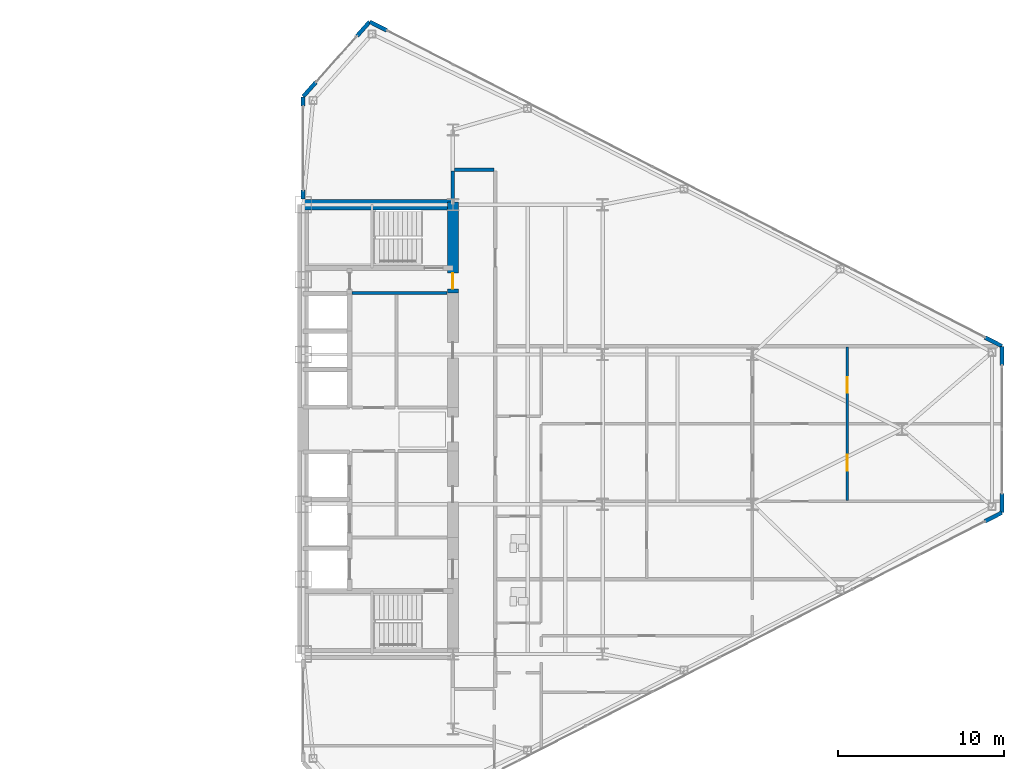
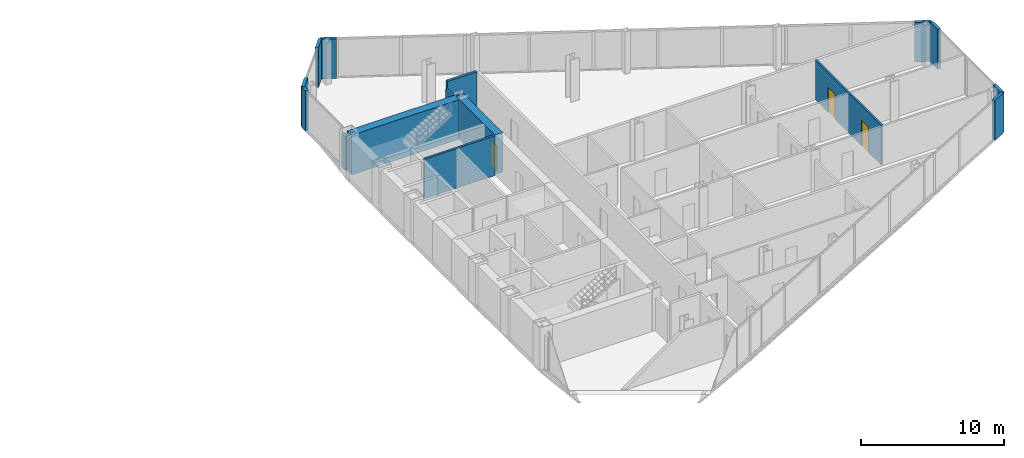
# One storey, part 20 of 23: 15 walls, 3 doors, 3 openings.
"""IFC4 building model written with IfcOpenShell, lengths in metres."""

from ifc_helpers import new_model, si_unit, direction, frame, frame_2d, origin, place, context, subcontext, project, spatial, rectangle, extrude, source, transform, mapped, material, layer, layer_set, type_object, type_shapes, element, fill, save


model = new_model("IFC4")

# Units and contexts
model_context = context("Model", 3, precision=1e-05, world=origin(), true_north=direction((0.0, 1.0)))
body_context = subcontext(model_context, "Body", "Model", "MODEL_VIEW")
ifc_project = project(units=[si_unit("LENGTHUNIT", "METRE"), si_unit("AREAUNIT", "SQUARE_METRE"), si_unit("VOLUMEUNIT", "CUBIC_METRE"), si_unit("PLANEANGLEUNIT", "RADIAN"), si_unit("MASSUNIT", "GRAM", prefix="KILO")], contexts=[model_context])

# Site, building, storey
site_placement = place(None, origin())
site = spatial("IfcSite", under=ifc_project, at=site_placement, CompositionType="ELEMENT")
building_placement = place(site_placement, origin())
building = spatial("IfcBuilding", under=site, at=building_placement, Name="Seokmaru Belvedere", CompositionType="ELEMENT")
storey_placement = place(building_placement, frame((0.0, 0.0, 128.39990234375)))
storey = spatial("IfcBuildingStorey", under=building, at=storey_placement, Name="L34", CompositionType="ELEMENT", Elevation=128.39990234375)

# Wall, openings, doors
ifc_material_1 = material(Name="Fire-Rated Gypsum Shaftwall")
ifc_layer_1 = layer(ifc_material_1, 0.14990234375)
ifc_layer_set_1 = layer_set([ifc_layer_1], Name="Fire-Rated Gypsum Shaftwall")
wall_type_1 = type_object("IfcWallType", Name="Apartment Fire-Acoustic Room Partition 150", PredefinedType="PARTITIONING", material=ifc_layer_set_1)
wall_1_placement = place(storey_placement, frame((60.199951171875, -4.282958984375, 0.0), z_axis=(0.0, 0.0, 1.0), x_axis=(0.0, 1.0, 0.0)))
wall_1 = element("IfcWall", 1, at=wall_1_placement, inside=storey, type_object=wall_type_1, Name="L34 Interior Partition 038", PredefinedType="PARTITIONING", context=body_context, shape_type="SweptSolid", body=[
    extrude(rectangle(XDim=9.23291015625, YDim=0.14990234375, at=frame_2d((4.616455078125, 0.0))), origin(), (0.0, 0.0, 1.0), 3.380126953125),
])
opening_1_placement = place(wall_1_placement, frame((1.80810546875, 0.0, 0.0)))
opening_1 = element("IfcOpeningElement", 2, at=opening_1_placement, cuts=wall_1, Name="Opening D05", PredefinedType="OPENING", context=body_context, shape_type="SweptSolid", body=[
    extrude(rectangle(XDim=0.949951171875, YDim=2.14990234375, at=frame_2d((0.47509765625, 1.074951171875))), frame((0.0, 0.0849609375, 0.0), z_axis=(0.0, -1.0, 0.0), x_axis=(1.0, 0.0, 0.0)), (0.0, 0.0, 1.0), 0.169921875),
])
opening_2_placement = place(wall_1_placement, frame((6.474609375, 0.0, 0.0)))
opening_2 = element("IfcOpeningElement", 3, at=opening_2_placement, cuts=wall_1, Name="Opening D05", PredefinedType="OPENING", context=body_context, shape_type="SweptSolid", body=[
    extrude(rectangle(XDim=0.949951171875, YDim=2.14990234375, at=frame_2d((0.47509765625, 1.074951171875))), frame((0.0, 0.0849609375, 0.0), z_axis=(0.0, -1.0, 0.0), x_axis=(1.0, 0.0, 0.0)), (0.0, 0.0, 1.0), 0.169921875),
])
ifc_material_2 = material(Name="Engineered White Oak Timber", Category="wood")
door_type_1 = type_object("IfcDoorType", Name="Apartment Interior Fire-Rated Oak Door 950x2150", OperationType="NOTDEFINED", PredefinedType="DOOR", material=ifc_material_2)
shared_shape_1 = source(origin(), body_context, "Body", "SweptSolid", [
    extrude(rectangle(XDim=0.949951171875, YDim=2.14990234375, at=frame_2d((0.47509765625, 1.074951171875))), frame((0.0, 0.02490234375, 0.0), z_axis=(0.0, -1.0, 0.0), x_axis=(1.0, 0.0, 0.0)), (0.0, 0.0, 1.0), 0.050048828125),
])
type_shapes(door_type_1, [shared_shape_1])
door_1_placement = place(opening_1_placement, origin())
door_1 = element("IfcDoor", 4, at=door_1_placement, inside=storey, type_object=door_type_1, Name="L34 Interior Door 033", OperationType="SINGLE_SWING_LEFT", OverallHeight=2.14990234375, OverallWidth=0.949951171875, PredefinedType="DOOR", context=body_context, shape_type="MappedRepresentation", body=[
    mapped(shared_shape_1, transform((0.0, 0.0, 0.0), scale=1.0)),
])
fill(opening_1, door_1)
door_2_placement = place(opening_2_placement, origin())
door_2 = element("IfcDoor", 5, at=door_2_placement, inside=storey, type_object=door_type_1, Name="L34 Interior Door 035", OperationType="SINGLE_SWING_LEFT", OverallHeight=2.14990234375, OverallWidth=0.949951171875, PredefinedType="DOOR", context=body_context, shape_type="MappedRepresentation", body=[
    mapped(shared_shape_1, transform((0.0, 0.0, 0.0), scale=1.0)),
])
fill(opening_2, door_2)

# Walls
ifc_layer_2 = layer(ifc_material_1, 0.179931640625)
ifc_layer_set_2 = layer_set([ifc_layer_2], Name="Fire-Rated Gypsum Shaftwall")
wall_type_2 = type_object("IfcWallType", Name="Core Service Fire Partition 180", PredefinedType="PARTITIONING", material=ifc_layer_set_2)
wall_2_placement = place(storey_placement, frame((30.449951171875, 8.199951171875, 0.0), z_axis=(0.0, 0.0, 1.0), x_axis=(1.0, 0.0, 0.0)))
element("IfcWall", 6, at=wall_2_placement, inside=storey, type_object=wall_type_2, Name="L34 East Smokeproof Vestibule Partition", PredefinedType="PARTITIONING", context=body_context, shape_type="SweptSolid", body=[
    extrude(rectangle(XDim=5.699951171875, YDim=0.179931640625, at=frame_2d((2.85009765625, 0.0))), origin(), (0.0, 0.0, 1.0), 3.380126953125),
])
ifc_layer_3 = layer(ifc_material_1, 0.199951171875)
ifc_layer_set_3 = layer_set([ifc_layer_3], Name="Fire-Rated Gypsum Shaftwall")
wall_type_3 = type_object("IfcWallType", Name="Inter-Tenancy Fire Compartment Partition 200", PredefinedType="PARTITIONING", material=ifc_layer_set_3)
wall_3_placement = place(storey_placement, frame((36.5849609375, 15.60009765625, 0.0), z_axis=(0.0, 0.0, 1.0), x_axis=(1.0, 0.0, 0.0)))
element("IfcWall", 7, at=wall_3_placement, inside=storey, type_object=wall_type_3, Name="L34 Interior Partition 021", PredefinedType="PARTITIONING", context=body_context, shape_type="SweptSolid", body=[
    extrude(rectangle(XDim=2.380126953125, YDim=0.199951171875, at=frame_2d((1.18994140625, 0.0))), origin(), (0.0, 0.0, 1.0), 3.380126953125),
])
wall_4_placement = place(storey_placement, frame((36.5, 13.830078125, 0.0), z_axis=(0.0, 0.0, 1.0), x_axis=(0.0, 1.0, 0.0)))
element("IfcWall", 8, at=wall_4_placement, inside=storey, type_object=wall_type_3, Name="L34 Interior Partition 030", PredefinedType="PARTITIONING", context=body_context, shape_type="SweptSolid", body=[
    extrude(rectangle(XDim=1.684814453125, YDim=0.199951171875, at=frame_2d((0.84228515625, 0.0))), origin(), (0.0, 0.0, 1.0), 2.780029296875),
])
ifc_material_3 = material(Name="Concrete C60 (60 MPa)", Category="concrete")
ifc_layer_4 = layer(ifc_material_3, 0.64990234375)
ifc_layer_set_4 = layer_set([ifc_layer_4], Name="Concrete C60 (60 MPa)")
wall_type_4 = type_object("IfcWallType", Name="Mid-Low Reinforced Concrete Core Wall 650", PredefinedType="SHEAR", material=ifc_layer_set_4)
wall_5_placement = place(storey_placement, frame((27.5, 13.5, 0.0), z_axis=(0.0, 0.0, 1.0), x_axis=(1.0, 0.0, 0.0)))
element("IfcWall", 9, at=wall_5_placement, inside=storey, type_object=wall_type_4, Name="L34 East North Core Wall", PredefinedType="SHEAR", context=body_context, shape_type="SweptSolid", body=[
    extrude(rectangle(XDim=9.0, YDim=0.64990234375, at=frame_2d((4.5, 0.0))), origin(), (0.0, 0.0, 1.0), 3.380126953125),
])

# Wall, opening, door
wall_6_placement = place(storey_placement, frame((36.5, 8.199951171875, 0.0), z_axis=(0.0, 0.0, 1.0), x_axis=(0.0, 1.0, 0.0)))
wall_6 = element("IfcWall", 10, at=wall_6_placement, inside=storey, type_object=wall_type_4, Name="L34 East West Core Wall VST", PredefinedType="SHEAR", context=body_context, shape_type="SweptSolid", body=[
    extrude(rectangle(XDim=5.449951171875, YDim=0.64990234375, at=frame_2d((2.72509765625, 0.0))), origin(), (0.0, 0.0, 1.0), 3.380126953125),
])
opening_3_placement = place(wall_6_placement, frame((0.2451171875, 0.0, 0.0)))
opening_3 = element("IfcOpeningElement", 11, at=opening_3_placement, cuts=wall_6, Name="Opening D04", PredefinedType="OPENING", context=body_context, shape_type="SweptSolid", body=[
    extrude(rectangle(XDim=0.949951171875, YDim=2.14990234375, at=frame_2d((0.47509765625, 1.074951171875))), frame((0.0, 0.3349609375, 0.0), z_axis=(0.0, -1.0, 0.0), x_axis=(1.0, 0.0, 0.0)), (0.0, 0.0, 1.0), 0.669921875),
])
ifc_material_4 = material(Name="Fire-Rated Steel Leaf", Category="steel")
door_type_2 = type_object("IfcDoorType", Name="Core Service Room Fire Door 950x2150", OperationType="NOTDEFINED", PredefinedType="DOOR", material=ifc_material_4)
shared_shape_2 = source(origin(), body_context, "Body", "SweptSolid", [
    extrude(rectangle(XDim=0.949951171875, YDim=2.14990234375, at=frame_2d((0.47509765625, 1.074951171875))), frame((0.0, 0.02490234375, 0.0), z_axis=(0.0, -1.0, 0.0), x_axis=(1.0, 0.0, 0.0)), (0.0, 0.0, 1.0), 0.050048828125),
])
type_shapes(door_type_2, [shared_shape_2])
door_3_placement = place(opening_3_placement, origin())
door_3 = element("IfcDoor", 12, at=door_3_placement, inside=storey, type_object=door_type_2, Name="L34 East Smokeproof Vestibule Door", OperationType="SINGLE_SWING_LEFT", OverallHeight=2.14990234375, OverallWidth=0.949951171875, PredefinedType="DOOR", context=body_context, shape_type="MappedRepresentation", body=[
    mapped(shared_shape_2, transform((0.0, 0.0, 0.0), scale=1.0)),
])
fill(opening_3, door_3)

# Walls
ifc_material_5 = material(Name="Anodised Bronze Aluminium", Category="aluminium")
ifc_layer_5 = layer(ifc_material_5, 0.239990234375)
ifc_layer_set_5 = layer_set([ifc_layer_5], Name="Anodised Bronze Aluminium")
wall_type_5 = type_object("IfcWallType", Name="Tower Corner Spandrel Closure Wall 240", PredefinedType="SOLIDWALL", material=ifc_layer_set_5)
wall_7_placement = place(storey_placement, frame((68.476806640625, -5.52490234375, 0.0), z_axis=(0.0, 0.0, 1.0), x_axis=(0.889797395748, 0.456355776255, 0.0)))
element("IfcWall", 13, at=wall_7_placement, inside=storey, type_object=wall_type_5, Name="L34 E Corner Closure Pier 1B", PredefinedType="SOLIDWALL", context=body_context, shape_type="SweptSolid", body=[
    extrude(rectangle(XDim=1.14013671875, YDim=0.239990234375, at=frame_2d((0.570068359375, 0.0))), origin(), (0.0, 0.0, 1.0), 3.380126953125),
])
for number, where, z_axis, x_axis, name in (
    (14, (69.5, -4.989990234375, 0.0), (0.0, 0.0, 1.0), (0.0, 1.0, 0.0), "L34 E Corner Closure Pier 2A"),
    (15, (69.5, 3.85009765625, 0.0), (0.0, 0.0, 1.0), (0.0, 1.0, 0.0), "L34 E Corner Closure Pier 2B"),
):
    element("IfcWall", number, at=place(storey_placement, frame(where, z_axis=z_axis, x_axis=x_axis)), inside=storey, type_object=wall_type_5, Name=name, PredefinedType="SOLIDWALL", context=body_context, shape_type="SweptSolid", body=[
        extrude(rectangle(XDim=1.139892578125, YDim=0.239990234375, at=frame_2d((0.56982421875, 0.0))), origin(), (0.0, 0.0, 1.0), 3.380126953125),
    ])
for number, where, z_axis, x_axis, name in (
    (16, (69.4912109375, 5.004638671875, 0.0), (0.0, 0.0, 1.0), (-0.889797395748, 0.456355776255, 0.0), "L34 E Corner Closure Pier 3A"),
    (17, (32.523193359375, 23.97509765625, 0.0), (0.0, 0.0, 1.0), (-0.889797395748, 0.456355776255, 0.0), "L34 E Corner Closure Pier 3B"),
):
    element("IfcWall", number, at=place(storey_placement, frame(where, z_axis=z_axis, x_axis=x_axis)), inside=storey, type_object=wall_type_5, Name=name, PredefinedType="SOLIDWALL", context=body_context, shape_type="SweptSolid", body=[
        extrude(rectangle(XDim=1.14013671875, YDim=0.239990234375, at=frame_2d((0.570068359375, 0.0))), origin(), (0.0, 0.0, 1.0), 3.380126953125),
    ])
for number, where, z_axis, x_axis, name in (
    (18, (31.493408203125, 24.492431640625, 0.0), (0.0, 0.0, 1.0), (-0.664337252513, -0.747432950119, 0.0), "L34 E Corner Closure Pier 4A"),
    (19, (28.263916015625, 20.859619140625, 0.0), (0.0, 0.0, 1.0), (-0.664337252513, -0.747432950119, 0.0), "L34 E Corner Closure Pier 4B"),
):
    element("IfcWall", number, at=place(storey_placement, frame(where, z_axis=z_axis, x_axis=x_axis)), inside=storey, type_object=wall_type_5, Name=name, PredefinedType="SOLIDWALL", context=body_context, shape_type="SweptSolid", body=[
        extrude(rectangle(XDim=1.139892578125, YDim=0.239990234375, at=frame_2d((0.56982421875, 0.0))), origin(), (0.0, 0.0, 1.0), 3.380126953125),
    ])
wall_8_placement = place(storey_placement, frame((27.5, 13.830078125, 0.0), z_axis=(0.0, 0.0, 1.0), x_axis=(0.0, 1.0, 0.0)))
element("IfcWall", 20, at=wall_8_placement, inside=storey, type_object=wall_type_5, Name="L34 E Spine Closure Pier 2A", PredefinedType="SOLIDWALL", context=body_context, shape_type="SweptSolid", body=[
    extrude(rectangle(XDim=0.5498046875, YDim=0.239990234375, at=frame_2d((0.27490234375, 0.0))), origin(), (0.0, 0.0, 1.0), 2.880126953125),
])
wall_9_placement = place(storey_placement, frame((27.5, 19.429931640625, 0.0), z_axis=(0.0, 0.0, 1.0), x_axis=(0.0, 1.0, 0.0)))
element("IfcWall", 21, at=wall_9_placement, inside=storey, type_object=wall_type_5, Name="L34 E Spine Closure Pier 2B", PredefinedType="SOLIDWALL", context=body_context, shape_type="SweptSolid", body=[
    extrude(rectangle(XDim=0.550048828125, YDim=0.239990234375, at=frame_2d((0.27490234375, 0.0))), origin(), (0.0, 0.0, 1.0), 3.380126953125),
])

save(model, "model.ifc")
